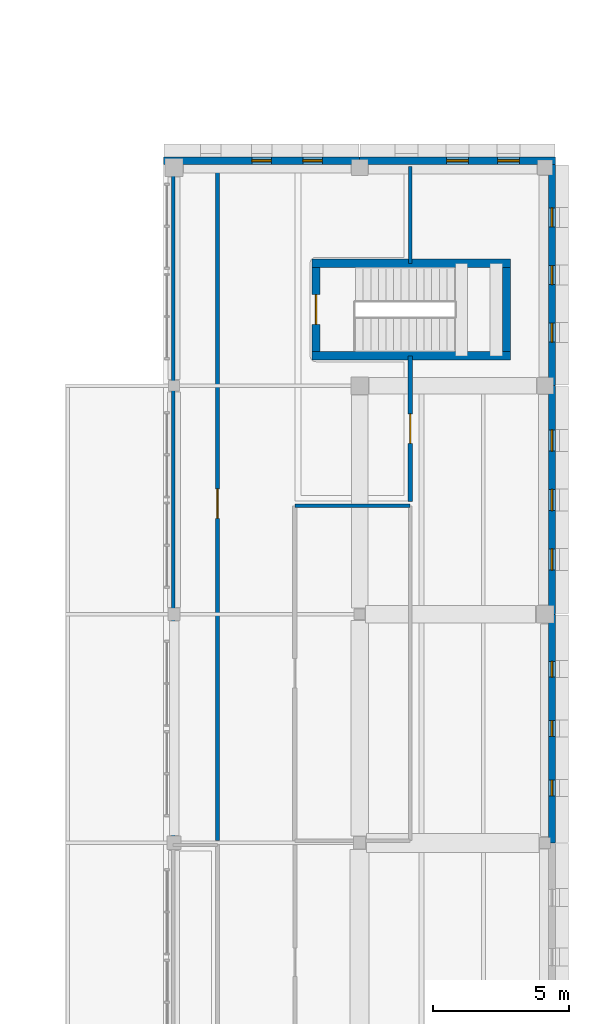
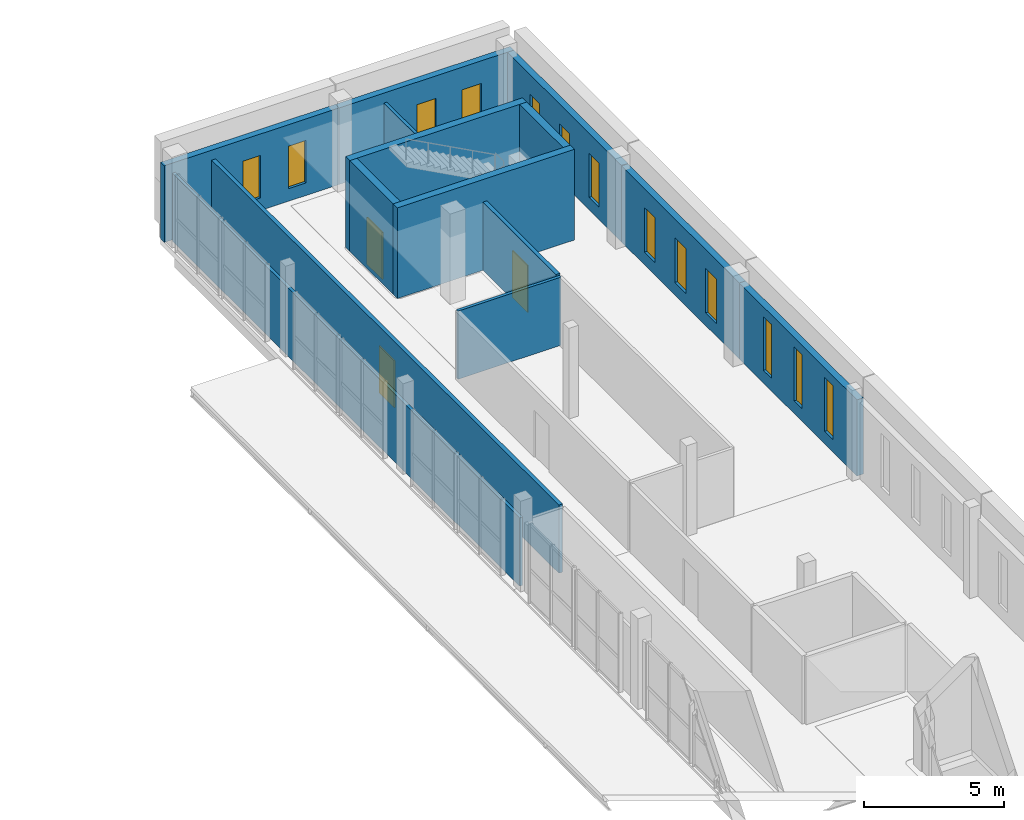
# One storey, part 63 of 76: 14 walls, 13 windows, 3 doors, 16 openings.
"""IFC4 building model written with IfcOpenShell, lengths in metres."""

from ifc_helpers import new_model, si_unit, direction, frame, frame_2d, origin, place, context, subcontext, project, spatial, rectangle, extrude, material, layer, layer_set, type_object, element, fill, save


model = new_model("IFC4")

# Units and contexts
model_context = context("Model", 3, precision=1e-05, world=origin(), true_north=direction((0.0, 1.0)))
body_context = subcontext(model_context, "Body", "Model", "MODEL_VIEW")
ifc_project = project(units=[si_unit("LENGTHUNIT", "METRE"), si_unit("AREAUNIT", "SQUARE_METRE"), si_unit("VOLUMEUNIT", "CUBIC_METRE"), si_unit("PLANEANGLEUNIT", "RADIAN"), si_unit("MASSUNIT", "GRAM", prefix="KILO")], contexts=[model_context])

# Site, building, storey
site_placement = place(None, origin())
site = spatial("IfcSite", under=ifc_project, at=site_placement, CompositionType="ELEMENT")
building_placement = place(site_placement, origin())
building = spatial("IfcBuilding", under=site, at=building_placement, Name="Vardoun Plaza Health Centre", CompositionType="ELEMENT")
storey_placement = place(building_placement, frame((0.0, 0.0, 4.5)))
storey = spatial("IfcBuildingStorey", under=building, at=storey_placement, Name="L01", CompositionType="ELEMENT", Elevation=4.5)

# Wall
ifc_material_1 = material(Name="Concrete C40/50", Category="concrete")
ifc_layer_1 = layer(ifc_material_1, 0.300048828125)
ifc_layer_set_1 = layer_set([ifc_layer_1], Name="Concrete C40/50")
wall_type_1 = type_object("IfcWallType", Name="SW-01", PredefinedType="SHEAR", material=ifc_layer_set_1)
wall_1_placement = place(storey_placement, frame((163.64990234375, 79.39990234375, 0.0), z_axis=(0.0, 0.0, 1.0), x_axis=(-1.0, 0.0, 0.0)))
element("IfcWall", 1, at=wall_1_placement, inside=storey, type_object=wall_type_1, Name="Core C11 L01 Shear Wall S", PredefinedType="SHEAR", context=body_context, shape_type="SweptSolid", body=[
    extrude(rectangle(XDim=7.2998046875, YDim=0.300048828125, at=frame_2d((3.64990234375, 0.0))), origin(), (0.0, 0.0, 1.0), 3.949951171875),
])

# Wall, opening, door
wall_2_placement = place(storey_placement, frame((156.5, 79.550048828125, 0.0), z_axis=(0.0, 0.0, 1.0), x_axis=(0.0, 1.0, 0.0)))
wall_2 = element("IfcWall", 2, at=wall_2_placement, inside=storey, type_object=wall_type_1, Name="Core C11 L01 Shear Wall W", PredefinedType="SHEAR", context=body_context, shape_type="SweptSolid", body=[
    extrude(rectangle(XDim=3.099853515625, YDim=0.300048828125, at=frame_2d((1.5498046875, 0.0))), origin(), (0.0, 0.0, 1.0), 3.949951171875),
])
opening_1_placement = place(wall_2_placement, frame((1.0, 0.0, 0.0)))
opening_1 = element("IfcOpeningElement", 3, at=opening_1_placement, cuts=wall_2, Name="Opening SD-C11-L01", PredefinedType="OPENING", context=body_context, shape_type="SweptSolid", body=[
    extrude(rectangle(XDim=1.10009765625, YDim=2.050048828125, at=frame_2d((0.550048828125, 1.02490234375))), frame((0.0, 0.14990234375, 0.0), z_axis=(0.0, -1.0, 0.0), x_axis=(1.0, 0.0, 0.0)), (0.0, 0.0, 1.0), 0.300048828125),
])
ifc_material_2 = material(Name="Brushed Stainless Steel Grade 316L", Category="steel")
door_type_1 = type_object("IfcDoorType", Name="FD-01", OperationType="NOTDEFINED", PredefinedType="DOOR", material=ifc_material_2)
door_1_placement = place(opening_1_placement, origin())
door_1 = element("IfcDoor", 4, at=door_1_placement, inside=storey, type_object=door_type_1, Name="Stair C11 L01 Fire Door", OperationType="SINGLE_SWING_RIGHT", OverallHeight=2.050048828125, OverallWidth=1.10009765625, PredefinedType="DOOR", context=body_context, shape_type="SweptSolid", body=[
    extrude(rectangle(XDim=1.10009765625, YDim=2.050048828125, at=frame_2d((0.550048828125, 1.02490234375))), frame((0.0, 0.02490234375, 0.0), z_axis=(0.0, -1.0, 0.0), x_axis=(1.0, 0.0, 0.0)), (0.0, 0.0, 1.0), 0.050048828125),
])
fill(opening_1, door_1)

# Walls
wall_3_placement = place(storey_placement, frame((156.35009765625, 82.800048828125, 0.0), z_axis=(0.0, 0.0, 1.0), x_axis=(1.0, 0.0, 0.0)))
element("IfcWall", 5, at=wall_3_placement, inside=storey, type_object=wall_type_1, Name="Core C11 L01 Shear Wall N", PredefinedType="SHEAR", context=body_context, shape_type="SweptSolid", body=[
    extrude(rectangle(XDim=7.2998046875, YDim=0.300048828125, at=frame_2d((3.64990234375, 0.0))), origin(), (0.0, 0.0, 1.0), 3.949951171875),
])
wall_4_placement = place(storey_placement, frame((163.5, 82.64990234375, 0.0), z_axis=(0.0, 0.0, 1.0), x_axis=(0.0, -1.0, 0.0)))
element("IfcWall", 6, at=wall_4_placement, inside=storey, type_object=wall_type_1, Name="Core C11 L01 Shear Wall E", PredefinedType="SHEAR", context=body_context, shape_type="SweptSolid", body=[
    extrude(rectangle(XDim=3.099853515625, YDim=0.300048828125, at=frame_2d((1.5498046875, 0.0))), origin(), (0.0, 0.0, 1.0), 3.949951171875),
])

# Wall, openings, windows
ifc_material_3 = material(Name="Pale Limestone Concrete C35/45", Category="masonry")
ifc_layer_2 = layer(ifc_material_3, 0.264892578125)
ifc_layer_set_2 = layer_set([ifc_layer_2], Name="Pale Limestone Concrete C35/45")
wall_type_2 = type_object("IfcWallType", Name="EW-06", PredefinedType="STANDARD", material=ifc_layer_set_2)
wall_5_placement = place(storey_placement, frame((150.89990234375, 86.5673828125, 0.0), z_axis=(0.0, 0.0, 1.0), x_axis=(1.0, 0.0, 0.0)))
wall_5 = element("IfcWall", 7, at=wall_5_placement, inside=storey, type_object=wall_type_2, Name="V6 L01 Exterior Wall EW-V6-425", PredefinedType="STANDARD", context=body_context, shape_type="SweptSolid", body=[
    extrude(rectangle(XDim=7.2001953125, YDim=0.264892578125, at=frame_2d((3.60009765625, 0.0))), origin(), (0.0, 0.0, 1.0), 3.3349609375),
])
opening_2_placement = place(wall_5_placement, frame((3.239990234375, 0.0, 0.550048828125)))
opening_2 = element("IfcOpeningElement", 8, at=opening_2_placement, cuts=wall_5, Name="Opening W-26-019", PredefinedType="OPENING", context=body_context, shape_type="SweptSolid", body=[
    extrude(rectangle(XDim=0.719970703125, YDim=1.85009765625, at=frame_2d((0.35986328125, 0.925048828125))), frame((0.0, 0.13232421875, 0.0), z_axis=(0.0, -1.0, 0.0), x_axis=(1.0, 0.0, 0.0)), (0.0, 0.0, 1.0), 0.264892578125),
])
opening_3_placement = place(wall_5_placement, frame((5.112060546875, 0.0, 0.550048828125)))
opening_3 = element("IfcOpeningElement", 9, at=opening_3_placement, cuts=wall_5, Name="Opening W-26-020", PredefinedType="OPENING", context=body_context, shape_type="SweptSolid", body=[
    extrude(rectangle(XDim=0.719970703125, YDim=1.85009765625, at=frame_2d((0.35986328125, 0.925048828125))), frame((0.0, 0.13232421875, 0.0), z_axis=(0.0, -1.0, 0.0), x_axis=(1.0, 0.0, 0.0)), (0.0, 0.0, 1.0), 0.264892578125),
])
ifc_material_4 = material(Name="Aluminium Alloy EN AW-6063-T6 and Low-E Glass", Category="aluminium")
window_type_1 = type_object("IfcWindowType", Name="W-26", PartitioningType="SINGLE_PANEL", PredefinedType="WINDOW", material=ifc_material_4)
window_1_placement = place(opening_2_placement, origin())
window_1 = element("IfcWindow", 10, at=window_1_placement, inside=storey, type_object=window_type_1, Name="V6 L01 Deep-Punched Slot Window W-26-650", OverallHeight=1.85009765625, OverallWidth=0.719970703125, PartitioningType="SINGLE_PANEL", PredefinedType="WINDOW", context=body_context, shape_type="SweptSolid", body=[
    extrude(rectangle(XDim=0.719970703125, YDim=1.85009765625, at=frame_2d((0.35986328125, 0.925048828125))), frame((0.0, 0.030029296875, 0.0), z_axis=(0.0, -1.0, 0.0), x_axis=(1.0, 0.0, 0.0)), (0.0, 0.0, 1.0), 0.06005859375),
])
fill(opening_2, window_1)
window_2_placement = place(opening_3_placement, origin())
window_2 = element("IfcWindow", 11, at=window_2_placement, inside=storey, type_object=window_type_1, Name="V6 L01 Deep-Punched Slot Window W-26-651", OverallHeight=1.85009765625, OverallWidth=0.719970703125, PartitioningType="SINGLE_PANEL", PredefinedType="WINDOW", context=body_context, shape_type="SweptSolid", body=[
    extrude(rectangle(XDim=0.719970703125, YDim=1.85009765625, at=frame_2d((0.35986328125, 0.925048828125))), frame((0.0, 0.030029296875, 0.0), z_axis=(0.0, -1.0, 0.0), x_axis=(1.0, 0.0, 0.0)), (0.0, 0.0, 1.0), 0.06005859375),
])
fill(opening_3, window_2)

wall_6_placement = place(storey_placement, frame((158.10009765625, 86.5673828125, 0.0), z_axis=(0.0, 0.0, 1.0), x_axis=(1.0, 0.0, 0.0)))
wall_6 = element("IfcWall", 12, at=wall_6_placement, inside=storey, type_object=wall_type_2, Name="V6 L01 Exterior Wall EW-V6-426", PredefinedType="STANDARD", context=body_context, shape_type="SweptSolid", body=[
    extrude(rectangle(XDim=7.199951171875, YDim=0.264892578125, at=frame_2d((3.60009765625, 0.0))), origin(), (0.0, 0.0, 1.0), 3.3349609375),
])
opening_4_placement = place(wall_6_placement, frame((3.199951171875, 0.0, 0.550048828125)))
opening_4 = element("IfcOpeningElement", 13, at=opening_4_placement, cuts=wall_6, Name="Opening W-27-025", PredefinedType="OPENING", context=body_context, shape_type="SweptSolid", body=[
    extrude(rectangle(XDim=0.800048828125, YDim=1.800048828125, at=frame_2d((0.39990234375, 0.89990234375))), frame((0.0, 0.13232421875, 0.0), z_axis=(0.0, -1.0, 0.0), x_axis=(1.0, 0.0, 0.0)), (0.0, 0.0, 1.0), 0.264892578125),
])
opening_5_placement = place(wall_6_placement, frame((5.072021484375, 0.0, 0.550048828125)))
opening_5 = element("IfcOpeningElement", 14, at=opening_5_placement, cuts=wall_6, Name="Opening W-27-026", PredefinedType="OPENING", context=body_context, shape_type="SweptSolid", body=[
    extrude(rectangle(XDim=0.800048828125, YDim=1.800048828125, at=frame_2d((0.39990234375, 0.89990234375))), frame((0.0, 0.13232421875, 0.0), z_axis=(0.0, -1.0, 0.0), x_axis=(1.0, 0.0, 0.0)), (0.0, 0.0, 1.0), 0.264892578125),
])
ifc_material_5 = material(Name="Aluminium Alloy EN AW-6063-T6 and Low-E Glass", Category="aluminium")
window_type_2 = type_object("IfcWindowType", Name="W-27", PartitioningType="SINGLE_PANEL", PredefinedType="WINDOW", material=ifc_material_5)
window_3_placement = place(opening_4_placement, origin())
window_3 = element("IfcWindow", 15, at=window_3_placement, inside=storey, type_object=window_type_2, Name="V6 L01 Deep-Punched Slot Window W-27-653", OverallHeight=1.800048828125, OverallWidth=0.800048828125, PartitioningType="SINGLE_PANEL", PredefinedType="WINDOW", context=body_context, shape_type="SweptSolid", body=[
    extrude(rectangle(XDim=0.800048828125, YDim=1.800048828125, at=frame_2d((0.39990234375, 0.89990234375))), frame((0.0, 0.030029296875, 0.0), z_axis=(0.0, -1.0, 0.0), x_axis=(1.0, 0.0, 0.0)), (0.0, 0.0, 1.0), 0.06005859375),
])
fill(opening_4, window_3)
window_4_placement = place(opening_5_placement, origin())
window_4 = element("IfcWindow", 16, at=window_4_placement, inside=storey, type_object=window_type_2, Name="V6 L01 Deep-Punched Slot Window W-27-654", OverallHeight=1.800048828125, OverallWidth=0.800048828125, PartitioningType="SINGLE_PANEL", PredefinedType="WINDOW", context=body_context, shape_type="SweptSolid", body=[
    extrude(rectangle(XDim=0.800048828125, YDim=1.800048828125, at=frame_2d((0.39990234375, 0.89990234375))), frame((0.0, 0.030029296875, 0.0), z_axis=(0.0, -1.0, 0.0), x_axis=(1.0, 0.0, 0.0)), (0.0, 0.0, 1.0), 0.06005859375),
])
fill(opening_5, window_4)

wall_7_placement = place(storey_placement, frame((165.16748046875, 86.43505859375, 0.0), z_axis=(0.0, 0.0, 1.0), x_axis=(0.0, -1.0, 0.0)))
wall_7 = element("IfcWall", 17, at=wall_7_placement, inside=storey, type_object=wall_type_2, Name="V6 L01 Exterior Wall EW-V6-427", PredefinedType="STANDARD", context=body_context, shape_type="SweptSolid", body=[
    extrude(rectangle(XDim=8.135009765625, YDim=0.264892578125, at=frame_2d((4.0673828125, 0.0))), origin(), (0.0, 0.0, 1.0), 3.3349609375),
])
opening_6_placement = place(wall_7_placement, frame((1.602294921875, 0.0, 0.550048828125)))
opening_6 = element("IfcOpeningElement", 18, at=opening_6_placement, cuts=wall_7, Name="Opening W-29-015", PredefinedType="OPENING", context=body_context, shape_type="SweptSolid", body=[
    extrude(rectangle(XDim=0.699951171875, YDim=1.919921875, at=frame_2d((0.35009765625, 0.9599609375))), frame((0.0, 0.13232421875, 0.0), z_axis=(0.0, -1.0, 0.0), x_axis=(1.0, 0.0, 0.0)), (0.0, 0.0, 1.0), 0.264892578125),
])
opening_7_placement = place(wall_7_placement, frame((3.717529296875, 0.0, 0.550048828125)))
opening_7 = element("IfcOpeningElement", 19, at=opening_7_placement, cuts=wall_7, Name="Opening W-29-016", PredefinedType="OPENING", context=body_context, shape_type="SweptSolid", body=[
    extrude(rectangle(XDim=0.699951171875, YDim=1.919921875, at=frame_2d((0.35009765625, 0.9599609375))), frame((0.0, 0.13232421875, 0.0), z_axis=(0.0, -1.0, 0.0), x_axis=(1.0, 0.0, 0.0)), (0.0, 0.0, 1.0), 0.264892578125),
])
opening_8_placement = place(wall_7_placement, frame((5.83251953125, 0.0, 0.550048828125)))
opening_8 = element("IfcOpeningElement", 20, at=opening_8_placement, cuts=wall_7, Name="Opening W-29-017", PredefinedType="OPENING", context=body_context, shape_type="SweptSolid", body=[
    extrude(rectangle(XDim=0.699951171875, YDim=1.919921875, at=frame_2d((0.35009765625, 0.9599609375))), frame((0.0, 0.13232421875, 0.0), z_axis=(0.0, -1.0, 0.0), x_axis=(1.0, 0.0, 0.0)), (0.0, 0.0, 1.0), 0.264892578125),
])
ifc_material_6 = material(Name="Aluminium Alloy EN AW-6063-T6 and Low-E Glass", Category="aluminium")
window_type_3 = type_object("IfcWindowType", Name="W-29", PartitioningType="SINGLE_PANEL", PredefinedType="WINDOW", material=ifc_material_6)
window_5_placement = place(opening_6_placement, origin())
window_5 = element("IfcWindow", 21, at=window_5_placement, inside=storey, type_object=window_type_3, Name="V6 L01 Deep-Punched Slot Window W-29-655", OverallHeight=1.919921875, OverallWidth=0.699951171875, PartitioningType="SINGLE_PANEL", PredefinedType="WINDOW", context=body_context, shape_type="SweptSolid", body=[
    extrude(rectangle(XDim=0.699951171875, YDim=1.919921875, at=frame_2d((0.35009765625, 0.9599609375))), frame((0.0, 0.030029296875, 0.0), z_axis=(0.0, -1.0, 0.0), x_axis=(1.0, 0.0, 0.0)), (0.0, 0.0, 1.0), 0.06005859375),
])
fill(opening_6, window_5)
window_6_placement = place(opening_7_placement, origin())
window_6 = element("IfcWindow", 22, at=window_6_placement, inside=storey, type_object=window_type_3, Name="V6 L01 Deep-Punched Slot Window W-29-656", OverallHeight=1.919921875, OverallWidth=0.699951171875, PartitioningType="SINGLE_PANEL", PredefinedType="WINDOW", context=body_context, shape_type="SweptSolid", body=[
    extrude(rectangle(XDim=0.699951171875, YDim=1.919921875, at=frame_2d((0.35009765625, 0.9599609375))), frame((0.0, 0.030029296875, 0.0), z_axis=(0.0, -1.0, 0.0), x_axis=(1.0, 0.0, 0.0)), (0.0, 0.0, 1.0), 0.06005859375),
])
fill(opening_7, window_6)
window_7_placement = place(opening_8_placement, origin())
window_7 = element("IfcWindow", 23, at=window_7_placement, inside=storey, type_object=window_type_3, Name="V6 L01 Deep-Punched Slot Window W-29-657", OverallHeight=1.919921875, OverallWidth=0.699951171875, PartitioningType="SINGLE_PANEL", PredefinedType="WINDOW", context=body_context, shape_type="SweptSolid", body=[
    extrude(rectangle(XDim=0.699951171875, YDim=1.919921875, at=frame_2d((0.35009765625, 0.9599609375))), frame((0.0, 0.030029296875, 0.0), z_axis=(0.0, -1.0, 0.0), x_axis=(1.0, 0.0, 0.0)), (0.0, 0.0, 1.0), 0.06005859375),
])
fill(opening_8, window_7)

wall_8_placement = place(storey_placement, frame((165.16748046875, 78.300048828125, 0.0), z_axis=(0.0, 0.0, 1.0), x_axis=(0.0, -1.0, 0.0)))
wall_8 = element("IfcWall", 24, at=wall_8_placement, inside=storey, type_object=wall_type_2, Name="V6 L01 Exterior Wall EW-V6-428", PredefinedType="STANDARD", context=body_context, shape_type="SweptSolid", body=[
    extrude(rectangle(XDim=8.400146484375, YDim=0.264892578125, at=frame_2d((4.2001953125, 0.0))), origin(), (0.0, 0.0, 1.0), 3.31494140625),
])
opening_9_placement = place(wall_8_placement, frame((1.6259765625, 0.0, 0.550048828125)))
opening_9 = element("IfcOpeningElement", 25, at=opening_9_placement, cuts=wall_8, Name="Opening W-30-020", PredefinedType="OPENING", context=body_context, shape_type="SweptSolid", body=[
    extrude(rectangle(XDim=0.780029296875, YDim=1.949951171875, at=frame_2d((0.39013671875, 0.97509765625))), frame((0.0, 0.13232421875, 0.0), z_axis=(0.0, -1.0, 0.0), x_axis=(1.0, 0.0, 0.0)), (0.0, 0.0, 1.0), 0.264892578125),
])
opening_10_placement = place(wall_8_placement, frame((3.81005859375, 0.0, 0.550048828125)))
opening_10 = element("IfcOpeningElement", 26, at=opening_10_placement, cuts=wall_8, Name="Opening W-30-021", PredefinedType="OPENING", context=body_context, shape_type="SweptSolid", body=[
    extrude(rectangle(XDim=0.780029296875, YDim=1.949951171875, at=frame_2d((0.39013671875, 0.97509765625))), frame((0.0, 0.13232421875, 0.0), z_axis=(0.0, -1.0, 0.0), x_axis=(1.0, 0.0, 0.0)), (0.0, 0.0, 1.0), 0.264892578125),
])
opening_11_placement = place(wall_8_placement, frame((5.993896484375, 0.0, 0.550048828125)))
opening_11 = element("IfcOpeningElement", 27, at=opening_11_placement, cuts=wall_8, Name="Opening W-30-022", PredefinedType="OPENING", context=body_context, shape_type="SweptSolid", body=[
    extrude(rectangle(XDim=0.780029296875, YDim=1.949951171875, at=frame_2d((0.39013671875, 0.97509765625))), frame((0.0, 0.13232421875, 0.0), z_axis=(0.0, -1.0, 0.0), x_axis=(1.0, 0.0, 0.0)), (0.0, 0.0, 1.0), 0.264892578125),
])
ifc_material_7 = material(Name="Aluminium Alloy EN AW-6063-T6 and Low-E Glass", Category="aluminium")
window_type_4 = type_object("IfcWindowType", Name="W-30", PartitioningType="SINGLE_PANEL", PredefinedType="WINDOW", material=ifc_material_7)
window_8_placement = place(opening_9_placement, origin())
window_8 = element("IfcWindow", 28, at=window_8_placement, inside=storey, type_object=window_type_4, Name="V6 L01 Deep-Punched Slot Window W-30-658", OverallHeight=1.949951171875, OverallWidth=0.780029296875, PartitioningType="SINGLE_PANEL", PredefinedType="WINDOW", context=body_context, shape_type="SweptSolid", body=[
    extrude(rectangle(XDim=0.780029296875, YDim=1.949951171875, at=frame_2d((0.39013671875, 0.97509765625))), frame((0.0, 0.030029296875, 0.0), z_axis=(0.0, -1.0, 0.0), x_axis=(1.0, 0.0, 0.0)), (0.0, 0.0, 1.0), 0.06005859375),
])
fill(opening_9, window_8)
window_9_placement = place(opening_10_placement, origin())
window_9 = element("IfcWindow", 29, at=window_9_placement, inside=storey, type_object=window_type_4, Name="V6 L01 Deep-Punched Slot Window W-30-659", OverallHeight=1.949951171875, OverallWidth=0.780029296875, PartitioningType="SINGLE_PANEL", PredefinedType="WINDOW", context=body_context, shape_type="SweptSolid", body=[
    extrude(rectangle(XDim=0.780029296875, YDim=1.949951171875, at=frame_2d((0.39013671875, 0.97509765625))), frame((0.0, 0.030029296875, 0.0), z_axis=(0.0, -1.0, 0.0), x_axis=(1.0, 0.0, 0.0)), (0.0, 0.0, 1.0), 0.06005859375),
])
fill(opening_10, window_9)
window_10_placement = place(opening_11_placement, origin())
window_10 = element("IfcWindow", 30, at=window_10_placement, inside=storey, type_object=window_type_4, Name="V6 L01 Deep-Punched Slot Window W-30-660", OverallHeight=1.949951171875, OverallWidth=0.780029296875, PartitioningType="SINGLE_PANEL", PredefinedType="WINDOW", context=body_context, shape_type="SweptSolid", body=[
    extrude(rectangle(XDim=0.780029296875, YDim=1.949951171875, at=frame_2d((0.39013671875, 0.97509765625))), frame((0.0, 0.030029296875, 0.0), z_axis=(0.0, -1.0, 0.0), x_axis=(1.0, 0.0, 0.0)), (0.0, 0.0, 1.0), 0.06005859375),
])
fill(opening_11, window_10)

wall_9_placement = place(storey_placement, frame((165.16748046875, 69.89990234375, 0.0), z_axis=(0.0, 0.0, 1.0), x_axis=(0.0, -1.0, 0.0)))
wall_9 = element("IfcWall", 31, at=wall_9_placement, inside=storey, type_object=wall_type_2, Name="V6 L01 Exterior Wall EW-V6-429", PredefinedType="STANDARD", context=body_context, shape_type="SweptSolid", body=[
    extrude(rectangle(XDim=8.39990234375, YDim=0.264892578125, at=frame_2d((4.199951171875, 0.0))), origin(), (0.0, 0.0, 1.0), 3.31494140625),
])
opening_12_placement = place(wall_9_placement, frame((1.72607421875, 0.0, 0.550048828125)))
opening_12 = element("IfcOpeningElement", 32, at=opening_12_placement, cuts=wall_9, Name="Opening W-01-012", PredefinedType="OPENING", context=body_context, shape_type="SweptSolid", body=[
    extrude(rectangle(XDim=0.580078125, YDim=2.35009765625, at=frame_2d((0.2900390625, 1.175048828125))), frame((0.0, 0.13232421875, 0.0), z_axis=(0.0, -1.0, 0.0), x_axis=(1.0, 0.0, 0.0)), (0.0, 0.0, 1.0), 0.264892578125),
])
opening_13_placement = place(wall_9_placement, frame((3.909912109375, 0.0, 0.550048828125)))
opening_13 = element("IfcOpeningElement", 33, at=opening_13_placement, cuts=wall_9, Name="Opening W-01-013", PredefinedType="OPENING", context=body_context, shape_type="SweptSolid", body=[
    extrude(rectangle(XDim=0.580078125, YDim=2.35009765625, at=frame_2d((0.2900390625, 1.175048828125))), frame((0.0, 0.13232421875, 0.0), z_axis=(0.0, -1.0, 0.0), x_axis=(1.0, 0.0, 0.0)), (0.0, 0.0, 1.0), 0.264892578125),
])
opening_14_placement = place(wall_9_placement, frame((6.093994140625, 0.0, 0.550048828125)))
opening_14 = element("IfcOpeningElement", 34, at=opening_14_placement, cuts=wall_9, Name="Opening W-01-014", PredefinedType="OPENING", context=body_context, shape_type="SweptSolid", body=[
    extrude(rectangle(XDim=0.580078125, YDim=2.35009765625, at=frame_2d((0.2900390625, 1.175048828125))), frame((0.0, 0.13232421875, 0.0), z_axis=(0.0, -1.0, 0.0), x_axis=(1.0, 0.0, 0.0)), (0.0, 0.0, 1.0), 0.264892578125),
])
ifc_material_8 = material(Name="Aluminium Alloy EN AW-6063-T6 and Low-E Glass", Category="aluminium")
window_type_5 = type_object("IfcWindowType", Name="W-01", PartitioningType="SINGLE_PANEL", PredefinedType="WINDOW", material=ifc_material_8)
window_11_placement = place(opening_12_placement, origin())
window_11 = element("IfcWindow", 35, at=window_11_placement, inside=storey, type_object=window_type_5, Name="V6 L01 Deep-Punched Slot Window W-01-661", OverallHeight=2.35009765625, OverallWidth=0.580078125, PartitioningType="SINGLE_PANEL", PredefinedType="WINDOW", context=body_context, shape_type="SweptSolid", body=[
    extrude(rectangle(XDim=0.580078125, YDim=2.35009765625, at=frame_2d((0.2900390625, 1.175048828125))), frame((0.0, 0.030029296875, 0.0), z_axis=(0.0, -1.0, 0.0), x_axis=(1.0, 0.0, 0.0)), (0.0, 0.0, 1.0), 0.06005859375),
])
fill(opening_12, window_11)
window_12_placement = place(opening_13_placement, origin())
window_12 = element("IfcWindow", 36, at=window_12_placement, inside=storey, type_object=window_type_5, Name="V6 L01 Deep-Punched Slot Window W-01-662", OverallHeight=2.35009765625, OverallWidth=0.580078125, PartitioningType="SINGLE_PANEL", PredefinedType="WINDOW", context=body_context, shape_type="SweptSolid", body=[
    extrude(rectangle(XDim=0.580078125, YDim=2.35009765625, at=frame_2d((0.2900390625, 1.175048828125))), frame((0.0, 0.030029296875, 0.0), z_axis=(0.0, -1.0, 0.0), x_axis=(1.0, 0.0, 0.0)), (0.0, 0.0, 1.0), 0.06005859375),
])
fill(opening_13, window_12)
window_13_placement = place(opening_14_placement, origin())
window_13 = element("IfcWindow", 37, at=window_13_placement, inside=storey, type_object=window_type_5, Name="V6 L01 Deep-Punched Slot Window W-01-663", OverallHeight=2.35009765625, OverallWidth=0.580078125, PartitioningType="SINGLE_PANEL", PredefinedType="WINDOW", context=body_context, shape_type="SweptSolid", body=[
    extrude(rectangle(XDim=0.580078125, YDim=2.35009765625, at=frame_2d((0.2900390625, 1.175048828125))), frame((0.0, 0.030029296875, 0.0), z_axis=(0.0, -1.0, 0.0), x_axis=(1.0, 0.0, 0.0)), (0.0, 0.0, 1.0), 0.06005859375),
])
fill(opening_14, window_13)

# Wall, opening, door
ifc_material_9 = material(Name="Lead-Foil Dental Operatory Partition", Category="steel")
ifc_layer_3 = layer(ifc_material_9, 0.159912109375)
ifc_layer_set_3 = layer_set([ifc_layer_3], Name="Lead-Foil Dental Operatory Partition")
wall_type_3 = type_object("IfcWallType", Name="IW-08", PredefinedType="PARTITIONING", material=ifc_layer_set_3)
wall_10_placement = place(storey_placement, frame((152.8798828125, 86.35009765625, 0.0), z_axis=(0.0, 0.0, 1.0), x_axis=(0.0, -1.0, 0.0)))
wall_10 = element("IfcWall", 38, at=wall_10_placement, inside=storey, type_object=wall_type_3, Name="Dental Clinic Operatory 3 Partition Wall", PredefinedType="PARTITIONING", context=body_context, shape_type="SweptSolid", body=[
    extrude(rectangle(XDim=24.77001953125, YDim=0.159912109375, at=frame_2d((12.385009765625, 0.0))), origin(), (0.0, 0.0, 1.0), 2.969970703125),
])
opening_15_placement = place(wall_10_placement, frame((11.844970703125, 0.0, 0.0)))
opening_15 = element("IfcOpeningElement", 39, at=opening_15_placement, cuts=wall_10, Name="Opening D-L01-170", PredefinedType="OPENING", context=body_context, shape_type="SweptSolid", body=[
    extrude(rectangle(XDim=1.080078125, YDim=2.050048828125, at=frame_2d((0.5400390625, 1.02490234375))), frame((0.0, 0.080078125, 0.0), z_axis=(0.0, -1.0, 0.0), x_axis=(1.0, 0.0, 0.0)), (0.0, 0.0, 1.0), 0.159912109375),
])
ifc_material_10 = material(Name="Antimicrobial Acoustic Timber and Steel S275JR", Category="steel")
door_type_2 = type_object("IfcDoorType", Name="CD-05", OperationType="NOTDEFINED", PredefinedType="DOOR", material=ifc_material_10)
door_2_placement = place(opening_15_placement, origin())
door_2 = element("IfcDoor", 40, at=door_2_placement, inside=storey, type_object=door_type_2, Name="Dental Clinic Operatory 3 Door D-L01-170", OperationType="SINGLE_SWING_RIGHT", OverallHeight=2.050048828125, OverallWidth=1.080078125, PredefinedType="DOOR", context=body_context, shape_type="SweptSolid", body=[
    extrude(rectangle(XDim=1.080078125, YDim=2.050048828125, at=frame_2d((0.5400390625, 1.02490234375))), frame((0.0, 0.02490234375, 0.0), z_axis=(0.0, -1.0, 0.0), x_axis=(1.0, 0.0, 0.0)), (0.0, 0.0, 1.0), 0.050048828125),
])
fill(opening_15, door_2)

wall_11_placement = place(storey_placement, frame((159.9599609375, 79.39990234375, 0.0), z_axis=(0.0, 0.0, 1.0), x_axis=(0.0, -1.0, 0.0)))
wall_11 = element("IfcWall", 41, at=wall_11_placement, inside=storey, type_object=wall_type_3, Name="Dental Panoramic X-Ray and Sterilisation Partition Wall", PredefinedType="PARTITIONING", context=body_context, shape_type="SweptSolid", body=[
    extrude(rectangle(XDim=5.35498046875, YDim=0.159912109375, at=frame_2d((2.677490234375, 0.0))), origin(), (0.0, 0.0, 1.0), 2.969970703125),
])
opening_16_placement = place(wall_11_placement, frame((2.137451171875, 0.0, 0.0)))
opening_16 = element("IfcOpeningElement", 42, at=opening_16_placement, cuts=wall_11, Name="Opening D-L01-171", PredefinedType="OPENING", context=body_context, shape_type="SweptSolid", body=[
    extrude(rectangle(XDim=1.080078125, YDim=2.050048828125, at=frame_2d((0.5400390625, 1.02490234375))), frame((0.0, 0.080078125, 0.0), z_axis=(0.0, -1.0, 0.0), x_axis=(1.0, 0.0, 0.0)), (0.0, 0.0, 1.0), 0.159912109375),
])
door_3_placement = place(opening_16_placement, origin())
door_3 = element("IfcDoor", 43, at=door_3_placement, inside=storey, type_object=door_type_2, Name="Dental Panoramic X-Ray and Sterilisation Door D-L01-171", OperationType="SINGLE_SWING_LEFT", OverallHeight=2.050048828125, OverallWidth=1.080078125, PredefinedType="DOOR", context=body_context, shape_type="SweptSolid", body=[
    extrude(rectangle(XDim=1.080078125, YDim=2.050048828125, at=frame_2d((0.5400390625, 1.02490234375))), frame((0.0, 0.02490234375, 0.0), z_axis=(0.0, -1.0, 0.0), x_axis=(1.0, 0.0, 0.0)), (0.0, 0.0, 1.0), 0.050048828125),
])
fill(opening_16, door_3)

# Walls
ifc_material_11 = material(Name="Standard Clinical Sub-Partition", Category="steel")
ifc_layer_4 = layer(ifc_material_11, 0.125)
ifc_layer_set_4 = layer_set([ifc_layer_4], Name="Standard Clinical Sub-Partition")
wall_type_4 = type_object("IfcWallType", Name="IW-11", PredefinedType="PARTITIONING", material=ifc_layer_set_4)
wall_12_placement = place(storey_placement, frame((155.719970703125, 73.885009765625, 0.0), z_axis=(0.0, 0.0, 1.0), x_axis=(1.0, 0.0, 0.0)))
element("IfcWall", 44, at=wall_12_placement, inside=storey, type_object=wall_type_4, Name="Dental Clinic Operatory 1 Enclosure Partition", PredefinedType="PARTITIONING", context=body_context, shape_type="SweptSolid", body=[
    extrude(rectangle(XDim=4.239990234375, YDim=0.125, at=frame_2d((2.1201171875, 0.0))), origin(), (0.0, 0.0, 1.0), 2.969970703125),
])
wall_13_placement = place(storey_placement, frame((151.25, 61.580078125, 0.0), z_axis=(0.0, 0.0, 1.0), x_axis=(0.0, 1.0, 0.0)))
element("IfcWall", 45, at=wall_13_placement, inside=storey, type_object=wall_type_4, Name="Dental Clinic Operatory 3 Enclosure Partition", PredefinedType="PARTITIONING", context=body_context, shape_type="SweptSolid", body=[
    extrude(rectangle(XDim=24.77001953125, YDim=0.125, at=frame_2d((12.385009765625, 0.0))), origin(), (0.0, 0.0, 1.0), 2.969970703125),
])
wall_14_placement = place(storey_placement, frame((159.9599609375, 86.35009765625, 0.0), z_axis=(0.0, 0.0, 1.0), x_axis=(0.0, -1.0, 0.0)))
element("IfcWall", 46, at=wall_14_placement, inside=storey, type_object=wall_type_4, Name="Dental Panoramic X-Ray and Sterilisation Enclosure Partition", PredefinedType="PARTITIONING", context=body_context, shape_type="SweptSolid", body=[
    extrude(rectangle(XDim=3.550048828125, YDim=0.125, at=frame_2d((1.77490234375, 0.0))), origin(), (0.0, 0.0, 1.0), 2.969970703125),
])

save(model, "model.ifc")
